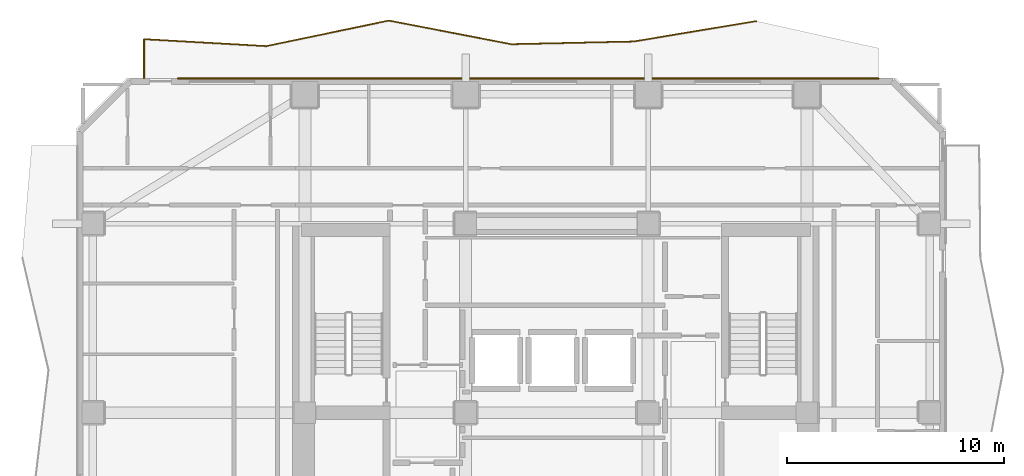
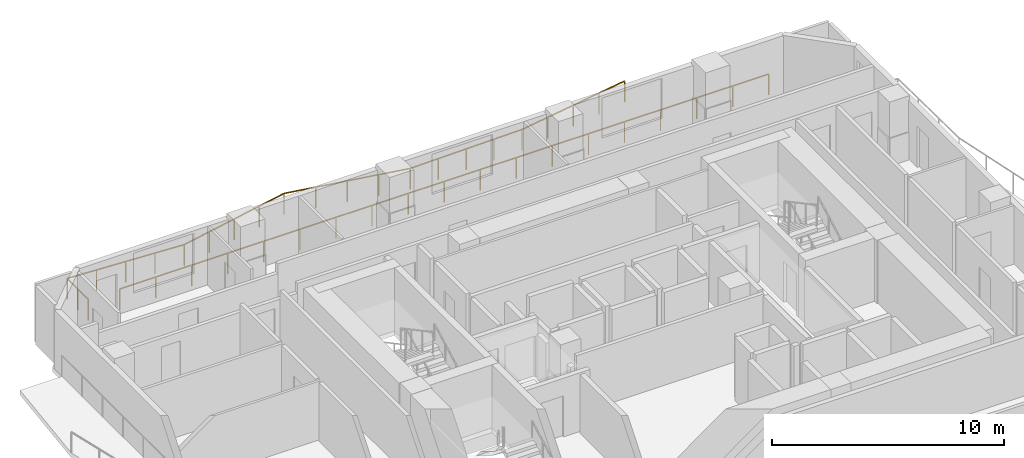
# One storey, part 10 of 10: 2 railings.
"""IFC4 building model written with IfcOpenShell, lengths in metres."""

from ifc_helpers import new_model, si_unit, direction, frame, origin, origin_2d, place, context, subcontext, project, spatial, rectangle, extrude, material, type_object, element, save


model = new_model("IFC4")

# Units and contexts
model_context = context("Model", 3, precision=1e-05, world=origin(), true_north=direction((0.0, 1.0)))
body_context = subcontext(model_context, "Body", "Model", "MODEL_VIEW")
ifc_project = project(units=[si_unit("LENGTHUNIT", "METRE"), si_unit("AREAUNIT", "SQUARE_METRE"), si_unit("VOLUMEUNIT", "CUBIC_METRE"), si_unit("PLANEANGLEUNIT", "RADIAN"), si_unit("MASSUNIT", "GRAM", prefix="KILO")], contexts=[model_context])

# Site, building, storey
site_placement = place(None, origin())
site = spatial("IfcSite", under=ifc_project, at=site_placement, CompositionType="ELEMENT")
building_placement = place(site_placement, origin())
building = spatial("IfcBuilding", under=site, at=building_placement, Name="Solanera Arch Residences", CompositionType="ELEMENT")
storey_placement = place(building_placement, frame((0.0, 0.0, 119.360107421875)))
storey = spatial("IfcBuildingStorey", under=building, at=storey_placement, Name="L34", CompositionType="ELEMENT", Elevation=119.360107421875)

# Railings
ifc_material = material(Name="Steel S355 (ASTM A992 / A572 Grade 50)", Category="steel")
railing_type = type_object("IfcRailingType", Name="Balustrade Railing BL-1100", PredefinedType="BALUSTRADE", material=ifc_material)
railing_1_placement = place(storey_placement, frame((34.1669921875, 48.722900390625, 0.0)))
element("IfcRailing", 1, at=railing_1_placement, inside=storey, type_object=railing_type, Name="L34 N Balcony Balustrade 1", PredefinedType="BALUSTRADE", context=body_context, shape_type="SweptSolid", body=[
    extrude(rectangle(XDim=0.048095703125, YDim=0.048095703125, at=origin_2d()), frame((0.0, 0.0, 1.09619140625), z_axis=(-0.98645047498, -0.164059319798, 0.0), x_axis=(0.164059319798, -0.98645047498, 0.0)), (0.0, 0.0, 1.0), 5.71142578125),
    extrude(rectangle(XDim=0.048095703125, YDim=0.048095703125, at=origin_2d()), frame((-5.634033203125, -0.93701171875, 1.09619140625), z_axis=(-0.999753883098, -0.022184977599, 0.0), x_axis=(0.022184977599, -0.999753883098, 0.0)), (0.0, 0.0, 1.0), 5.634521484375),
    extrude(rectangle(XDim=0.048095703125, YDim=0.048095703125, at=origin_2d()), frame((-11.26708984375, -1.06201171875, 1.09619140625), z_axis=(-0.981879343001, 0.189507139146, 0.0), x_axis=(-0.189507139146, -0.981879343001, 0.0)), (0.0, 0.0, 1.0), 5.73681640625),
    extrude(rectangle(XDim=0.048095703125, YDim=0.048095703125, at=origin_2d()), frame((-16.89990234375, 0.025146484375, 1.09619140625), z_axis=(-0.97890164951, -0.204331986207, 0.0), x_axis=(0.204331986207, -0.97890164951, 0.0)), (0.0, 0.0, 1.0), 5.75537109375),
    extrude(rectangle(XDim=0.048095703125, YDim=0.048095703125, at=origin_2d()), frame((-22.533935546875, -1.15087890625, 1.09619140625), z_axis=(-0.998389661311, 0.056728160446, 0.0), x_axis=(-0.056728160446, -0.998389661311, 0.0)), (0.0, 0.0, 1.0), 5.64208984375),
    extrude(rectangle(XDim=0.048095703125, YDim=0.048095703125, at=origin_2d()), frame((-28.1669921875, -0.830810546875, 1.09619140625), z_axis=(0.0, -1.0, 0.0), x_axis=(1.0, 0.0, 0.0)), (0.0, 0.0, 1.0), 1.81201171875),
    extrude(rectangle(XDim=0.0419921875, YDim=0.0419921875, at=origin_2d()), origin(), (0.0, 0.0, 1.0), 1.072021484375),
    extrude(rectangle(XDim=0.0419921875, YDim=0.0419921875, at=origin_2d()), frame((-1.408447265625, -0.234375, 0.0)), (0.0, 0.0, 1.0), 1.072021484375),
    extrude(rectangle(XDim=0.0419921875, YDim=0.0419921875, at=origin_2d()), frame((-2.81689453125, -0.468505859375, 0.0)), (0.0, 0.0, 1.0), 1.072021484375),
    extrude(rectangle(XDim=0.0419921875, YDim=0.0419921875, at=origin_2d()), frame((-4.2255859375, -0.70263671875, 0.0)), (0.0, 0.0, 1.0), 1.072021484375),
    extrude(rectangle(XDim=0.0419921875, YDim=0.0419921875, at=origin_2d()), frame((-5.634033203125, -0.93701171875, 0.0)), (0.0, 0.0, 1.0), 1.072021484375),
    extrude(rectangle(XDim=0.0419921875, YDim=0.0419921875, at=origin_2d()), frame((-7.042236328125, -0.96826171875, 0.0)), (0.0, 0.0, 1.0), 1.072021484375),
    extrude(rectangle(XDim=0.0419921875, YDim=0.0419921875, at=origin_2d()), frame((-8.45068359375, -0.99951171875, 0.0)), (0.0, 0.0, 1.0), 1.072021484375),
    extrude(rectangle(XDim=0.0419921875, YDim=0.0419921875, at=origin_2d()), frame((-9.85888671875, -1.03076171875, 0.0)), (0.0, 0.0, 1.0), 1.072021484375),
    extrude(rectangle(XDim=0.0419921875, YDim=0.0419921875, at=origin_2d()), frame((-11.26708984375, -1.06201171875, 0.0)), (0.0, 0.0, 1.0), 1.072021484375),
    extrude(rectangle(XDim=0.0419921875, YDim=0.0419921875, at=origin_2d()), frame((-12.67529296875, -0.790283203125, 0.0)), (0.0, 0.0, 1.0), 1.072021484375),
    extrude(rectangle(XDim=0.0419921875, YDim=0.0419921875, at=origin_2d()), frame((-14.08349609375, -0.5185546875, 0.0)), (0.0, 0.0, 1.0), 1.072021484375),
    extrude(rectangle(XDim=0.0419921875, YDim=0.0419921875, at=origin_2d()), frame((-15.49169921875, -0.24658203125, 0.0)), (0.0, 0.0, 1.0), 1.072021484375),
    extrude(rectangle(XDim=0.0419921875, YDim=0.0419921875, at=origin_2d()), frame((-16.89990234375, 0.025146484375, 0.0)), (0.0, 0.0, 1.0), 1.072021484375),
    extrude(rectangle(XDim=0.0419921875, YDim=0.0419921875, at=origin_2d()), frame((-18.308349609375, -0.268798828125, 0.0)), (0.0, 0.0, 1.0), 1.072021484375),
    extrude(rectangle(XDim=0.0419921875, YDim=0.0419921875, at=origin_2d()), frame((-19.716796875, -0.56298828125, 0.0)), (0.0, 0.0, 1.0), 1.072021484375),
    extrude(rectangle(XDim=0.0419921875, YDim=0.0419921875, at=origin_2d()), frame((-21.12548828125, -0.85693359375, 0.0)), (0.0, 0.0, 1.0), 1.072021484375),
    extrude(rectangle(XDim=0.0419921875, YDim=0.0419921875, at=origin_2d()), frame((-22.533935546875, -1.15087890625, 0.0)), (0.0, 0.0, 1.0), 1.072021484375),
    extrude(rectangle(XDim=0.0419921875, YDim=0.0419921875, at=origin_2d()), frame((-23.942138671875, -1.07080078125, 0.0)), (0.0, 0.0, 1.0), 1.072021484375),
    extrude(rectangle(XDim=0.0419921875, YDim=0.0419921875, at=origin_2d()), frame((-25.3505859375, -0.99072265625, 0.0)), (0.0, 0.0, 1.0), 1.072021484375),
    extrude(rectangle(XDim=0.0419921875, YDim=0.0419921875, at=origin_2d()), frame((-26.7587890625, -0.910888671875, 0.0)), (0.0, 0.0, 1.0), 1.072021484375),
    extrude(rectangle(XDim=0.0419921875, YDim=0.0419921875, at=origin_2d()), frame((-28.1669921875, -0.830810546875, 0.0)), (0.0, 0.0, 1.0), 1.072021484375),
    extrude(rectangle(XDim=0.0419921875, YDim=0.0419921875, at=origin_2d()), frame((-28.1669921875, -1.73681640625, 0.0)), (0.0, 0.0, 1.0), 1.072021484375),
    extrude(rectangle(XDim=0.0419921875, YDim=0.0419921875, at=origin_2d()), frame((-28.1669921875, -2.642822265625, 0.0)), (0.0, 0.0, 1.0), 1.072021484375),
])
railing_2_placement = place(storey_placement, frame((7.55908203125, 46.080078125, 0.0)))
element("IfcRailing", 2, at=railing_2_placement, inside=storey, type_object=railing_type, Name="L34 N Balcony Balustrade 2", PredefinedType="BALUSTRADE", context=body_context, shape_type="SweptSolid", body=[
    extrude(rectangle(XDim=0.048095703125, YDim=0.048095703125, at=origin_2d()), frame((0.0, 0.0, 1.09619140625), z_axis=(1.0, 0.0, 0.0), x_axis=(0.0, 1.0, 0.0)), (0.0, 0.0, 1.0), 32.240966796875),
    extrude(rectangle(XDim=0.0419921875, YDim=0.0419921875, at=origin_2d()), origin(), (0.0, 0.0, 1.0), 1.072021484375),
    extrude(rectangle(XDim=0.0419921875, YDim=0.0419921875, at=origin_2d()), frame((1.791259765625, 0.0, 0.0)), (0.0, 0.0, 1.0), 1.072021484375),
    extrude(rectangle(XDim=0.0419921875, YDim=0.0419921875, at=origin_2d()), frame((3.582275390625, 0.0, 0.0)), (0.0, 0.0, 1.0), 1.072021484375),
    extrude(rectangle(XDim=0.0419921875, YDim=0.0419921875, at=origin_2d()), frame((5.37353515625, 0.0, 0.0)), (0.0, 0.0, 1.0), 1.072021484375),
    extrude(rectangle(XDim=0.0419921875, YDim=0.0419921875, at=origin_2d()), frame((7.16455078125, 0.0, 0.0)), (0.0, 0.0, 1.0), 1.072021484375),
    extrude(rectangle(XDim=0.0419921875, YDim=0.0419921875, at=origin_2d()), frame((8.955810546875, 0.0, 0.0)), (0.0, 0.0, 1.0), 1.072021484375),
    extrude(rectangle(XDim=0.0419921875, YDim=0.0419921875, at=origin_2d()), frame((10.7470703125, 0.0, 0.0)), (0.0, 0.0, 1.0), 1.072021484375),
    extrude(rectangle(XDim=0.0419921875, YDim=0.0419921875, at=origin_2d()), frame((12.5380859375, 0.0, 0.0)), (0.0, 0.0, 1.0), 1.072021484375),
    extrude(rectangle(XDim=0.0419921875, YDim=0.0419921875, at=origin_2d()), frame((14.329345703125, 0.0, 0.0)), (0.0, 0.0, 1.0), 1.072021484375),
    extrude(rectangle(XDim=0.0419921875, YDim=0.0419921875, at=origin_2d()), frame((16.12060546875, 0.0, 0.0)), (0.0, 0.0, 1.0), 1.072021484375),
    extrude(rectangle(XDim=0.0419921875, YDim=0.0419921875, at=origin_2d()), frame((17.91162109375, 0.0, 0.0)), (0.0, 0.0, 1.0), 1.072021484375),
    extrude(rectangle(XDim=0.0419921875, YDim=0.0419921875, at=origin_2d()), frame((19.702880859375, 0.0, 0.0)), (0.0, 0.0, 1.0), 1.072021484375),
    extrude(rectangle(XDim=0.0419921875, YDim=0.0419921875, at=origin_2d()), frame((21.493896484375, 0.0, 0.0)), (0.0, 0.0, 1.0), 1.072021484375),
    extrude(rectangle(XDim=0.0419921875, YDim=0.0419921875, at=origin_2d()), frame((23.28515625, 0.0, 0.0)), (0.0, 0.0, 1.0), 1.072021484375),
    extrude(rectangle(XDim=0.0419921875, YDim=0.0419921875, at=origin_2d()), frame((25.076416015625, 0.0, 0.0)), (0.0, 0.0, 1.0), 1.072021484375),
    extrude(rectangle(XDim=0.0419921875, YDim=0.0419921875, at=origin_2d()), frame((26.867431640625, 0.0, 0.0)), (0.0, 0.0, 1.0), 1.072021484375),
    extrude(rectangle(XDim=0.0419921875, YDim=0.0419921875, at=origin_2d()), frame((28.65869140625, 0.0, 0.0)), (0.0, 0.0, 1.0), 1.072021484375),
    extrude(rectangle(XDim=0.0419921875, YDim=0.0419921875, at=origin_2d()), frame((30.44970703125, 0.0, 0.0)), (0.0, 0.0, 1.0), 1.072021484375),
    extrude(rectangle(XDim=0.0419921875, YDim=0.0419921875, at=origin_2d()), frame((32.240966796875, 0.0, 0.0)), (0.0, 0.0, 1.0), 1.072021484375),
])

save(model, "model.ifc")
